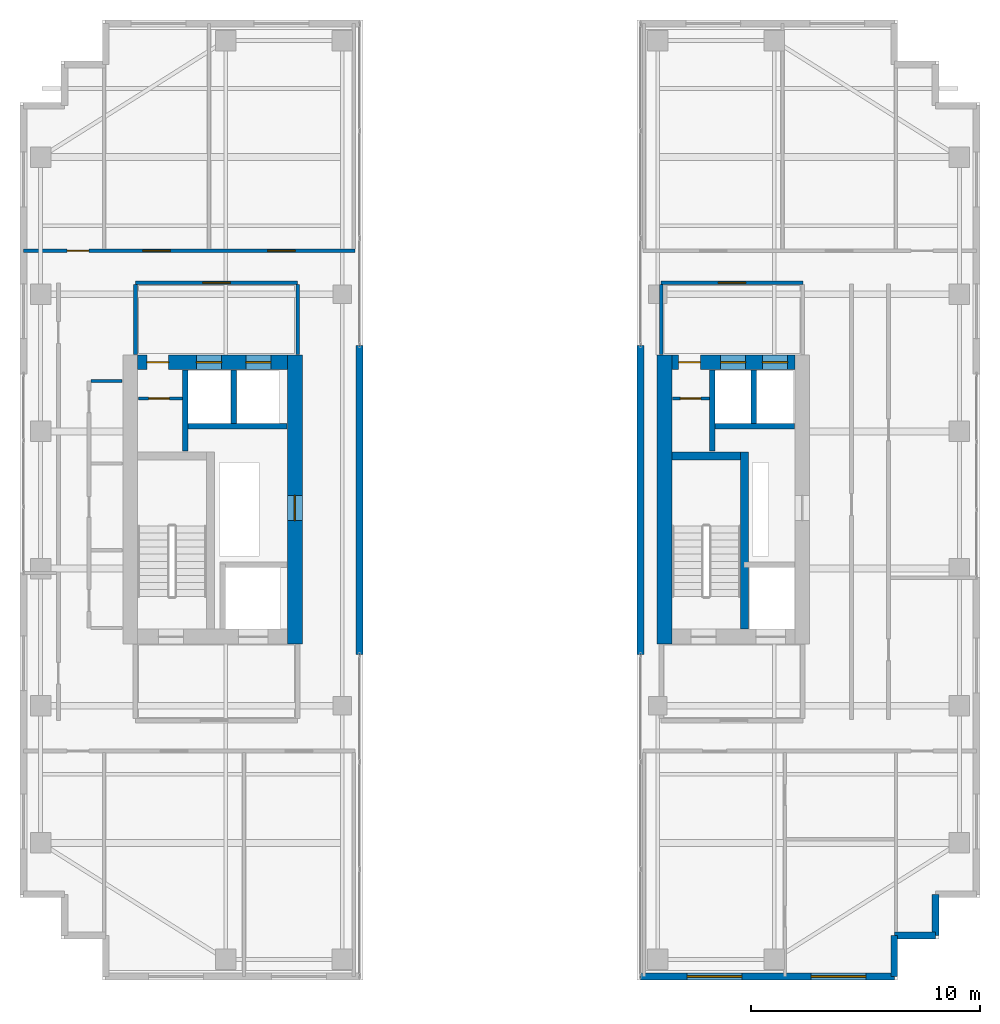
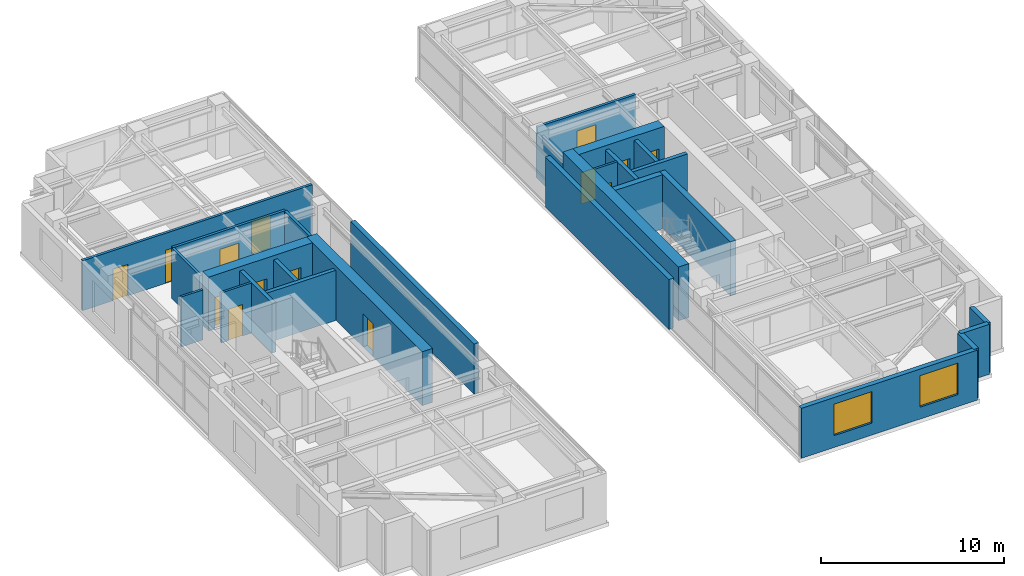
# One storey, part 17 of 21: 27 walls, 14 doors, 2 windows, 16 openings.
"""IFC4 building model written with IfcOpenShell, lengths in metres."""

import ifcopenshell
import ifcopenshell.guid

model = None  # the IFC model being written
_history = None  # IfcOwnerHistory: only IFC2X3 demands one
_inside = {}  # id of a spatial element -> (the spatial element, [elements in it])
_under = {}  # id of a project, library or spatial element -> (it, [spatial elements below it])
_declared = {}  # id of a project -> (the project, [libraries it declares])
_typed = {}  # id of a type object -> (the type object, [elements of that type])
_made_of = {}  # id of a material, layer set ... -> (it, [elements and type objects made of it])


def new_model(schema):
    """Start an empty IFC model of exactly this schema.

    Asked for "IFC4X3", IfcOpenShell would pick the latest addendum, in which some entities
    have other attributes; the version numbers below select the first issue.
    IFC2X3 requires an IfcOwnerHistory on every rooted entity: one is made here for all.
    """
    global model, _history
    if schema == "IFC4X3":
        model = ifcopenshell.file(schema_version=(4, 3, 0, 0))
    else:
        model = ifcopenshell.file(schema=schema)
    _inside.clear()
    _under.clear()
    _declared.clear()
    _typed.clear()
    _made_of.clear()
    _history = None
    if model.schema == "IFC2X3":
        org = make("IfcOrganization", Name="unknown")
        user = make(
            "IfcPersonAndOrganization",
            ThePerson=make("IfcPerson", FamilyName="unknown"),
            TheOrganization=org,
        )
        app = make(
            "IfcApplication",
            ApplicationDeveloper=org,
            Version="unknown",
            ApplicationFullName="unknown",
            ApplicationIdentifier="unknown",
        )
        _history = make(
            "IfcOwnerHistory",
            OwningUser=user,
            OwningApplication=app,
            ChangeAction="ADDED",
            CreationDate=0,
        )
    return model


def make(cls, **values):
    """One entity of the class cls with the attributes given. An attribute that is None is left unset."""
    return model.create_entity(
        cls, **{name: value for name, value in values.items() if value is not None}
    )


def rooted(cls, **values):
    """An entity with a GlobalId (a new one), such as an element, a storey or a relation."""
    return make(cls, GlobalId=ifcopenshell.guid.new(), OwnerHistory=_history, **values)


def si_unit(unit_type, name, prefix=None):
    """IfcSIUnit, for example si_unit("LENGTHUNIT", "METRE", prefix="MILLI")."""
    return make("IfcSIUnit", UnitType=unit_type, Prefix=prefix, Name=name)


def assignment(units):
    """IfcUnitAssignment: the units of a project."""
    return None if units is None else make("IfcUnitAssignment", Units=units)


def point(xyz):
    """IfcCartesianPoint."""
    return None if xyz is None else make("IfcCartesianPoint", Coordinates=xyz)


def direction(xyz):
    """IfcDirection."""
    return None if xyz is None else make("IfcDirection", DirectionRatios=xyz)


def frame(location, z_axis=None, x_axis=None):
    """IfcAxis2Placement3D, a coordinate frame: its origin and axes. An axis left out is left unset."""
    return make(
        "IfcAxis2Placement3D",
        Location=point(location),
        Axis=direction(z_axis),
        RefDirection=direction(x_axis),
    )


def frame_2d(location, x_axis=None):
    """IfcAxis2Placement2D, a coordinate frame in the plane: its origin and x axis."""
    return make(
        "IfcAxis2Placement2D", Location=point(location), RefDirection=direction(x_axis)
    )


def origin():
    """The frame at (0, 0, 0) with its axes left unset."""
    return frame((0.0, 0.0, 0.0))


def place(relative_to, where):
    """IfcLocalPlacement: puts the frame where relative to a parent placement (None: the world)."""
    return make(
        "IfcLocalPlacement", PlacementRelTo=relative_to, RelativePlacement=where
    )


def context(
    kind, dimensions, precision=None, world=None, true_north=None, identifier=None
):
    """IfcGeometricRepresentationContext, for example the 3D "Model" context."""
    return make(
        "IfcGeometricRepresentationContext",
        ContextIdentifier=identifier,
        ContextType=kind,
        CoordinateSpaceDimension=dimensions,
        Precision=precision,
        WorldCoordinateSystem=world,
        TrueNorth=true_north,
    )


def subcontext(parent, identifier, kind, view, scale=None):
    """IfcGeometricRepresentationSubContext, for example "Body" below "Model"."""
    return make(
        "IfcGeometricRepresentationSubContext",
        ContextIdentifier=identifier,
        ContextType=kind,
        ParentContext=parent,
        TargetScale=scale,
        TargetView=view,
    )


def project(units=None, contexts=None):
    """IfcProject with its units and contexts."""
    return rooted(
        "IfcProject",
        Name="project",
        RepresentationContexts=contexts,
        UnitsInContext=assignment(units),
    )


def spatial(cls, under=None, at=None, **own):
    """A site, building, storey or space (cls), placed at a placement, below another one or the project."""
    s = rooted(cls, ObjectPlacement=at, **own)
    if under is not None:
        _under.setdefault(under.id(), (under, []))[1].append(s)
    return s


def profile(cls, at=None, kind="AREA", **sizes):
    """A parametric profile (cls). Its sizes go by their IFC names, for example OverallWidth=200.0."""
    return make(cls, ProfileType=kind, Position=at, **sizes)


def rectangle(**sizes):
    """IfcRectangleProfileDef."""
    return profile("IfcRectangleProfileDef", **sizes)


def extrude(swept, where, along, depth):
    """IfcExtrudedAreaSolid: the profile swept, set in the frame where, extruded along a direction by depth."""
    return make(
        "IfcExtrudedAreaSolid",
        SweptArea=swept,
        Position=where,
        ExtrudedDirection=direction(along),
        Depth=depth,
    )


def shape(context_of_items, identifier, shape_type, items):
    """IfcShapeRepresentation: the items that make up one representation, for example the "Body"."""
    return make(
        "IfcShapeRepresentation",
        ContextOfItems=context_of_items,
        RepresentationIdentifier=identifier,
        RepresentationType=shape_type,
        Items=items,
    )


def source(mapping_origin, context_of_items, identifier, shape_type, items):
    """IfcRepresentationMap: a shape defined once, which mapped items show again and again."""
    return make(
        "IfcRepresentationMap",
        MappingOrigin=mapping_origin,
        MappedRepresentation=shape(context_of_items, identifier, shape_type, items),
    )


def transform(
    local_origin,
    x_axis=None,
    y_axis=None,
    z_axis=None,
    scale=None,
    scale2=None,
    scale3=None,
    uniform=True,
):
    """IfcCartesianTransformationOperator3D, or its non-uniform kind. x_axis, y_axis, z_axis: its Axis1, 2, 3."""
    if uniform:
        return make(
            "IfcCartesianTransformationOperator3D",
            Axis1=direction(x_axis),
            Axis2=direction(y_axis),
            LocalOrigin=point(local_origin),
            Scale=scale,
            Axis3=direction(z_axis),
        )
    return make(
        "IfcCartesianTransformationOperator3DnonUniform",
        Axis1=direction(x_axis),
        Axis2=direction(y_axis),
        LocalOrigin=point(local_origin),
        Scale=scale,
        Axis3=direction(z_axis),
        Scale2=scale2,
        Scale3=scale3,
    )


def mapped(mapping_source, mapping_target):
    """IfcMappedItem: shows the shape of a source again, moved by a transform."""
    return make(
        "IfcMappedItem", MappingSource=mapping_source, MappingTarget=mapping_target
    )


def material(Name=None, Category=None):
    """IfcMaterial."""
    return make("IfcMaterial", Name=Name, Category=Category)


def layer(
    of_material, thickness, ventilated=None, Name=None, Category=None, Priority=None
):
    """IfcMaterialLayer: one layer of a wall or slab, of a material (None: an air gap)."""
    return make(
        "IfcMaterialLayer",
        Material=of_material,
        LayerThickness=thickness,
        IsVentilated=ventilated,
        Name=Name,
        Category=Category,
        Priority=Priority,
    )


def layer_set(layers, Name=None):
    """IfcMaterialLayerSet."""
    return make("IfcMaterialLayerSet", MaterialLayers=layers, LayerSetName=Name)


def made_of(thing, what):
    """Note that an element or type object is made of a material, layer set ...; save() writes the relation."""
    if what is not None:
        _made_of.setdefault(what.id(), (what, []))[1].append(thing)
    return thing


def type_object(cls, material=None, **own):
    """A type object (cls), such as IfcWallType, which elements share."""
    return made_of(rooted(cls, **own), material)


def element(
    cls,
    number,
    at=None,
    inside=None,
    cuts=None,
    type_object=None,
    material=None,
    context=None,
    identifier="Body",
    shape_type=None,
    held_by="IfcProductDefinitionShape",
    body=None,
    shapes=None,
    **own,
):
    """One element of the class cls, such as IfcWall. Its Tag is "e" and its number.

    at: its placement. inside: the storey or other place that contains it. cuts: it is an
    opening in that element (IfcRelVoidsElement). A single representation is given by context,
    identifier, shape_type and body (its items); several are given by shapes. held_by: the class
    of the entity that holds the representations. save() writes the other relations.
    """
    e = rooted(cls, Tag="e%d" % number, ObjectPlacement=at, **own)
    if body is not None:
        shapes = [shape(context, identifier, shape_type, body)]
    if shapes is not None:
        e.Representation = make(held_by, Representations=shapes)
    if inside is not None:
        _inside.setdefault(inside.id(), (inside, []))[1].append(e)
    if cuts is not None:
        rooted(
            "IfcRelVoidsElement", RelatingBuildingElement=cuts, RelatedOpeningElement=e
        )
    if type_object is not None:
        _typed.setdefault(type_object.id(), (type_object, []))[1].append(e)
    return made_of(e, material)


def fill(opening, filler):
    """IfcRelFillsElement: the door or window that sits in an opening."""
    return rooted(
        "IfcRelFillsElement",
        RelatingOpeningElement=opening,
        RelatedBuildingElement=filler,
    )


def aggregate(whole, parts):
    """IfcRelAggregates: a whole, such as a stair, and the parts it consists of."""
    return rooted("IfcRelAggregates", RelatingObject=whole, RelatedObjects=parts)


def save(model, path):
    """Write the relations noted so far, then the file.

    IfcRelAggregates (storeys below a building ...), IfcRelContainedInSpatialStructure (elements
    in a storey), IfcRelDefinesByType, IfcRelAssociatesMaterial and IfcRelDeclares: one each for
    every whole, place, type object, material and project.
    """
    for whole, parts in _under.values():
        aggregate(whole, parts)
    for where, things in _inside.values():
        rooted(
            "IfcRelContainedInSpatialStructure",
            RelatedElements=things,
            RelatingStructure=where,
        )
    for kind, things in _typed.values():
        rooted("IfcRelDefinesByType", RelatedObjects=things, RelatingType=kind)
    for what, things in _made_of.values():
        rooted("IfcRelAssociatesMaterial", RelatedObjects=things, RelatingMaterial=what)
    for by, libraries in _declared.values():
        rooted("IfcRelDeclares", RelatingContext=by, RelatedDefinitions=libraries)
    model.write(path)


model = new_model("IFC4")

# Units and contexts
model_context = context("Model", 3, precision=1e-05, world=origin(), true_north=direction((0.0, 1.0)))
body_context = subcontext(model_context, "Body", "Model", "MODEL_VIEW")
ifc_project = project(units=[si_unit("LENGTHUNIT", "METRE"), si_unit("AREAUNIT", "SQUARE_METRE"), si_unit("VOLUMEUNIT", "CUBIC_METRE"), si_unit("PLANEANGLEUNIT", "RADIAN"), si_unit("MASSUNIT", "GRAM", prefix="KILO")], contexts=[model_context])

# Site, building, storey
site_placement = place(None, origin())
site = spatial("IfcSite", under=ifc_project, at=site_placement, CompositionType="ELEMENT")
building_placement = place(site_placement, origin())
building = spatial("IfcBuilding", under=site, at=building_placement, Name="Khoralis Quay Care Tower", CompositionType="ELEMENT")
storey_placement = place(building_placement, frame((0.0, 0.0, 206.10009765625)))
storey = spatial("IfcBuildingStorey", under=building, at=storey_placement, Name="L54", CompositionType="ELEMENT", Elevation=206.10009765625)

# Wall, opening, door
ifc_material_1 = material(Name="Concrete C65/80", Category="concrete")
ifc_layer_1 = layer(ifc_material_1, 0.64990234375)
ifc_layer_set_1 = layer_set([ifc_layer_1], Name="Concrete C65/80")
wall_type_1 = type_object("IfcWallType", Name="WL-CORE-650", PredefinedType="SHEAR", material=ifc_layer_set_1)
wall_1_placement = place(storey_placement, frame((15.02490234375, 14.699951171875, 0.0), z_axis=(0.0, 0.0, 1.0), x_axis=(0.0, 1.0, 0.0)))
wall_1 = element("IfcWall", 1, at=wall_1_placement, inside=storey, type_object=wall_type_1, Name="L54 WCORE East Shear Wall", PredefinedType="SHEAR", context=body_context, shape_type="SweptSolid", body=[
    extrude(rectangle(XDim=12.650146484375, YDim=0.64990234375, at=frame_2d((6.3251953125, 0.0))), origin(), (0.0, 0.0, 1.0), 3.599853515625),
])
opening_1_placement = place(wall_1_placement, frame((5.39990234375, 0.0, 0.0)))
opening_1 = element("IfcOpeningElement", 2, at=opening_1_placement, cuts=wall_1, Name="Opening SD1", PredefinedType="OPENING", context=body_context, shape_type="SweptSolid", body=[
    extrude(rectangle(XDim=1.10009765625, YDim=2.199951171875, at=frame_2d((0.550048828125, 1.10009765625))), frame((0.0, 0.3349609375, 0.0), z_axis=(0.0, -1.0, 0.0), x_axis=(1.0, 0.0, 0.0)), (0.0, 0.0, 1.0), 0.669921875),
])
ifc_material_2 = material(Name="Fire-rated painted steel", Category="steel")
door_type_1 = type_object("IfcDoorType", Name="DR-STAIR-1100X2200", OperationType="NOTDEFINED", PredefinedType="DOOR", material=ifc_material_2)
shared_shape_1 = source(origin(), body_context, "Body", "SweptSolid", [
    extrude(rectangle(XDim=1.10009765625, YDim=2.199951171875, at=frame_2d((0.550048828125, 1.10009765625))), frame((0.0, 0.02490234375, 0.0), z_axis=(0.0, -1.0, 0.0), x_axis=(1.0, 0.0, 0.0)), (0.0, 0.0, 1.0), 0.050048828125),
])
door_1_placement = place(opening_1_placement, origin())
door_1 = element("IfcDoor", 3, at=door_1_placement, inside=storey, type_object=door_type_1, Name="L54 West MEP Riser Door", OperationType="SINGLE_SWING_RIGHT", OverallHeight=2.199951171875, OverallWidth=1.10009765625, PredefinedType="DOOR", context=body_context, shape_type="MappedRepresentation", body=[
    mapped(shared_shape_1, transform((0.0, 0.0, 0.0), scale=1.0)),
])
fill(opening_1, door_1)

# Wall, openings, doors
wall_2_placement = place(storey_placement, frame((8.14990234375, 27.02490234375, 0.0), z_axis=(0.0, 0.0, 1.0), x_axis=(1.0, 0.0, 0.0)))
wall_2 = element("IfcWall", 4, at=wall_2_placement, inside=storey, type_object=wall_type_1, Name="L54 WCORE North Shear Wall", PredefinedType="SHEAR", context=body_context, shape_type="SweptSolid", body=[
    extrude(rectangle(XDim=6.550048828125, YDim=0.64990234375, at=frame_2d((3.27490234375, 0.0))), origin(), (0.0, 0.0, 1.0), 3.599853515625),
])
opening_2_placement = place(wall_2_placement, frame((0.39990234375, 0.0, 0.0)))
opening_2 = element("IfcOpeningElement", 5, at=opening_2_placement, cuts=wall_2, Name="Opening ID1", PredefinedType="OPENING", context=body_context, shape_type="SweptSolid", body=[
    extrude(rectangle(XDim=0.949951171875, YDim=2.10009765625, at=frame_2d((0.47509765625, 1.050048828125))), frame((0.0, 0.3349609375, 0.0), z_axis=(0.0, -1.0, 0.0), x_axis=(1.0, 0.0, 0.0)), (0.0, 0.0, 1.0), 0.669921875),
])
opening_3_placement = place(wall_2_placement, frame((2.570068359375, 0.0, 0.0)))
opening_3 = element("IfcOpeningElement", 6, at=opening_3_placement, cuts=wall_2, Name="Opening LD1", PredefinedType="OPENING", context=body_context, shape_type="SweptSolid", body=[
    extrude(rectangle(XDim=1.10009765625, YDim=2.199951171875, at=frame_2d((0.550048828125, 1.10009765625))), frame((0.0, 0.3349609375, 0.0), z_axis=(0.0, -1.0, 0.0), x_axis=(1.0, 0.0, 0.0)), (0.0, 0.0, 1.0), 0.669921875),
])
opening_4_placement = place(wall_2_placement, frame((4.72998046875, 0.0, 0.0)))
opening_4 = element("IfcOpeningElement", 7, at=opening_4_placement, cuts=wall_2, Name="Opening LD1", PredefinedType="OPENING", context=body_context, shape_type="SweptSolid", body=[
    extrude(rectangle(XDim=1.10009765625, YDim=2.199951171875, at=frame_2d((0.550048828125, 1.10009765625))), frame((0.0, 0.3349609375, 0.0), z_axis=(0.0, -1.0, 0.0), x_axis=(1.0, 0.0, 0.0)), (0.0, 0.0, 1.0), 0.669921875),
])
ifc_material_3 = material(Name="Brushed stainless steel", Category="steel")
door_type_2 = type_object("IfcDoorType", Name="DR-LIFT-1100X2200", OperationType="SLIDING_TO_LEFT", PredefinedType="DOOR", material=ifc_material_3)
shared_shape_2 = source(origin(), body_context, "Body", "SweptSolid", [
    extrude(rectangle(XDim=1.10009765625, YDim=2.199951171875, at=frame_2d((0.550048828125, 1.10009765625))), frame((0.0, 0.02490234375, 0.0), z_axis=(0.0, -1.0, 0.0), x_axis=(1.0, 0.0, 0.0)), (0.0, 0.0, 1.0), 0.050048828125),
])
door_2_placement = place(opening_3_placement, origin())
door_2 = element("IfcDoor", 8, at=door_2_placement, inside=storey, type_object=door_type_2, Name="L54 Lift PLM1 Landing Door", OperationType="SLIDING_TO_LEFT", OverallHeight=2.199951171875, OverallWidth=1.10009765625, PredefinedType="DOOR", context=body_context, shape_type="MappedRepresentation", body=[
    mapped(shared_shape_2, transform((0.0, 0.0, 0.0), scale=1.0)),
])
fill(opening_3, door_2)
door_3_placement = place(opening_4_placement, origin())
door_3 = element("IfcDoor", 9, at=door_3_placement, inside=storey, type_object=door_type_2, Name="L54 Lift PLH1 Landing Door", OperationType="SLIDING_TO_LEFT", OverallHeight=2.199951171875, OverallWidth=1.10009765625, PredefinedType="DOOR", context=body_context, shape_type="MappedRepresentation", body=[
    mapped(shared_shape_2, transform((0.0, 0.0, 0.0), scale=1.0)),
])
fill(opening_4, door_3)
ifc_material_4 = material(Name="Acoustic hardwood timber", Category="wood")
door_type_3 = type_object("IfcDoorType", Name="DR-ROOM-950X2100", OperationType="NOTDEFINED", PredefinedType="DOOR", material=ifc_material_4)
shared_shape_3 = source(origin(), body_context, "Body", "SweptSolid", [
    extrude(rectangle(XDim=0.949951171875, YDim=2.10009765625, at=frame_2d((0.47509765625, 1.050048828125))), frame((0.0, 0.02490234375, 0.0), z_axis=(0.0, -1.0, 0.0), x_axis=(1.0, 0.0, 0.0)), (0.0, 0.0, 1.0), 0.050048828125),
])
door_4_placement = place(opening_2_placement, frame((0.949951171875, 0.0, 0.0), z_axis=(0.0, 0.0, 1.0), x_axis=(-1.0, 0.0, 0.0)))
door_4 = element("IfcDoor", 10, at=door_4_placement, inside=storey, type_object=door_type_3, Name="L54 Medication Store Door", OperationType="SINGLE_SWING_RIGHT", OverallHeight=2.10009765625, OverallWidth=0.949951171875, PredefinedType="DOOR", context=body_context, shape_type="MappedRepresentation", body=[
    mapped(shared_shape_3, transform((0.0, 0.0, 0.0), scale=1.0)),
])
fill(opening_2, door_4)

# Wall
wall_3_placement = place(storey_placement, frame((31.195068359375, 14.699951171875, 0.0), z_axis=(0.0, 0.0, 1.0), x_axis=(0.0, 1.0, 0.0)))
element("IfcWall", 11, at=wall_3_placement, inside=storey, type_object=wall_type_1, Name="L54 ECORE West Shear Wall", PredefinedType="SHEAR", context=body_context, shape_type="SweptSolid", body=[
    extrude(rectangle(XDim=12.650146484375, YDim=0.64990234375, at=frame_2d((6.3251953125, 0.0))), origin(), (0.0, 0.0, 1.0), 3.599853515625),
])

# Wall, openings, doors
wall_4_placement = place(storey_placement, frame((31.52001953125, 27.02490234375, 0.0), z_axis=(0.0, 0.0, 1.0), x_axis=(1.0, 0.0, 0.0)))
wall_4 = element("IfcWall", 12, at=wall_4_placement, inside=storey, type_object=wall_type_1, Name="L54 ECORE North Shear Wall", PredefinedType="SHEAR", context=body_context, shape_type="SweptSolid", body=[
    extrude(rectangle(XDim=5.3798828125, YDim=0.64990234375, at=frame_2d((2.68994140625, 0.0))), origin(), (0.0, 0.0, 1.0), 3.599853515625),
])
opening_5_placement = place(wall_4_placement, frame((0.300048828125, 0.0, 0.0)))
opening_5 = element("IfcOpeningElement", 13, at=opening_5_placement, cuts=wall_4, Name="Opening ID1", PredefinedType="OPENING", context=body_context, shape_type="SweptSolid", body=[
    extrude(rectangle(XDim=0.949951171875, YDim=2.10009765625, at=frame_2d((0.47509765625, 1.050048828125))), frame((0.0, 0.3349609375, 0.0), z_axis=(0.0, -1.0, 0.0), x_axis=(1.0, 0.0, 0.0)), (0.0, 0.0, 1.0), 0.669921875),
])
opening_6_placement = place(wall_4_placement, frame((2.1298828125, 0.0, 0.0)))
opening_6 = element("IfcOpeningElement", 14, at=opening_6_placement, cuts=wall_4, Name="Opening LD1", PredefinedType="OPENING", context=body_context, shape_type="SweptSolid", body=[
    extrude(rectangle(XDim=1.10009765625, YDim=2.199951171875, at=frame_2d((0.550048828125, 1.10009765625))), frame((0.0, 0.3349609375, 0.0), z_axis=(0.0, -1.0, 0.0), x_axis=(1.0, 0.0, 0.0)), (0.0, 0.0, 1.0), 0.669921875),
])
opening_7_placement = place(wall_4_placement, frame((3.9599609375, 0.0, 0.0)))
opening_7 = element("IfcOpeningElement", 15, at=opening_7_placement, cuts=wall_4, Name="Opening LD1", PredefinedType="OPENING", context=body_context, shape_type="SweptSolid", body=[
    extrude(rectangle(XDim=1.10009765625, YDim=2.199951171875, at=frame_2d((0.550048828125, 1.10009765625))), frame((0.0, 0.3349609375, 0.0), z_axis=(0.0, -1.0, 0.0), x_axis=(1.0, 0.0, 0.0)), (0.0, 0.0, 1.0), 0.669921875),
])
door_5_placement = place(opening_6_placement, origin())
door_5 = element("IfcDoor", 16, at=door_5_placement, inside=storey, type_object=door_type_2, Name="L54 Lift PLM2 Landing Door", OperationType="SLIDING_TO_LEFT", OverallHeight=2.199951171875, OverallWidth=1.10009765625, PredefinedType="DOOR", context=body_context, shape_type="MappedRepresentation", body=[
    mapped(shared_shape_2, transform((0.0, 0.0, 0.0), scale=1.0)),
])
fill(opening_6, door_5)
door_6_placement = place(opening_7_placement, origin())
door_6 = element("IfcDoor", 17, at=door_6_placement, inside=storey, type_object=door_type_2, Name="L54 Lift PLH2 Landing Door", OperationType="SLIDING_TO_LEFT", OverallHeight=2.199951171875, OverallWidth=1.10009765625, PredefinedType="DOOR", context=body_context, shape_type="MappedRepresentation", body=[
    mapped(shared_shape_2, transform((0.0, 0.0, 0.0), scale=1.0)),
])
fill(opening_7, door_6)
door_7_placement = place(opening_5_placement, frame((0.949951171875, 0.0, 0.0), z_axis=(0.0, 0.0, 1.0), x_axis=(-1.0, 0.0, 0.0)))
door_7 = element("IfcDoor", 18, at=door_7_placement, inside=storey, type_object=door_type_3, Name="L54 Nutrition Store Door", OperationType="SINGLE_SWING_LEFT", OverallHeight=2.10009765625, OverallWidth=0.949951171875, PredefinedType="DOOR", context=body_context, shape_type="MappedRepresentation", body=[
    mapped(shared_shape_3, transform((0.0, 0.0, 0.0), scale=1.0)),
])
fill(opening_5, door_7)

# Wall, opening, door
ifc_material_5 = material(Name="Gypsum plasterboard on acoustic metal stud")
ifc_layer_2 = layer(ifc_material_5, 0.1650390625)
ifc_layer_set_2 = layer_set([ifc_layer_2], Name="Gypsum plasterboard on acoustic metal stud")
wall_type_2 = type_object("IfcWallType", Name="WL-CORR-165", PredefinedType="PARTITIONING", material=ifc_layer_set_2)
wall_5_placement = place(storey_placement, frame((8.050048828125, 30.5, 0.0), z_axis=(0.0, 0.0, 1.0), x_axis=(1.0, 0.0, 0.0)))
wall_5 = element("IfcWall", 19, at=wall_5_placement, inside=storey, type_object=wall_type_2, Name="L54 West Lift Lobby North Wall", PredefinedType="PARTITIONING", context=body_context, shape_type="SweptSolid", body=[
    extrude(rectangle(XDim=7.099853515625, YDim=0.1650390625, at=frame_2d((3.5498046875, 0.0))), origin(), (0.0, 0.0, 1.0), 3.33984375),
])
opening_8_placement = place(wall_5_placement, frame((2.949951171875, 0.0, 0.0)))
opening_8 = element("IfcOpeningElement", 20, at=opening_8_placement, cuts=wall_5, Name="Opening FD1", PredefinedType="OPENING", context=body_context, shape_type="SweptSolid", body=[
    extrude(rectangle(XDim=1.199951171875, YDim=2.199951171875, at=frame_2d((0.60009765625, 1.10009765625))), frame((0.0, 0.092529296875, 0.0), z_axis=(0.0, -1.0, 0.0), x_axis=(1.0, 0.0, 0.0)), (0.0, 0.0, 1.0), 0.18505859375),
])
door_type_4 = type_object("IfcDoorType", Name="DR-FFL-1200X2200", OperationType="NOTDEFINED", PredefinedType="DOOR", material=ifc_material_2)
shared_shape_4 = source(origin(), body_context, "Body", "SweptSolid", [
    extrude(rectangle(XDim=1.199951171875, YDim=2.199951171875, at=frame_2d((0.60009765625, 1.10009765625))), frame((0.0, 0.02490234375, 0.0), z_axis=(0.0, -1.0, 0.0), x_axis=(1.0, 0.0, 0.0)), (0.0, 0.0, 1.0), 0.050048828125),
])
door_8_placement = place(opening_8_placement, origin())
door_8 = element("IfcDoor", 21, at=door_8_placement, inside=storey, type_object=door_type_4, Name="L54 West Lift Lobby Double Door", OperationType="DOUBLE_DOOR_SINGLE_SWING", OverallHeight=2.199951171875, OverallWidth=1.199951171875, PredefinedType="DOOR", context=body_context, shape_type="MappedRepresentation", body=[
    mapped(shared_shape_4, transform((0.0, 0.0, 0.0), scale=1.0)),
])
fill(opening_8, door_8)

# Walls
for number, where, z_axis, x_axis, name in (
    (22, (8.050048828125, 27.3701171875, 0.0), (0.0, 0.0, 1.0), (0.0, 1.0, 0.0), "L54 West Lift Lobby West Wall"),
    (23, (15.14990234375, 27.3701171875, 0.0), (0.0, 0.0, 1.0), (0.0, 1.0, 0.0), "L54 West Lift Lobby East Wall"),
):
    element("IfcWall", number, at=place(storey_placement, frame(where, z_axis=z_axis, x_axis=x_axis)), inside=storey, type_object=wall_type_2, Name=name, PredefinedType="PARTITIONING", context=body_context, shape_type="SweptSolid", body=[
        extrude(rectangle(XDim=3.052490234375, YDim=0.1650390625, at=frame_2d((1.5263671875, 0.0))), origin(), (0.0, 0.0, 1.0), 3.33984375),
    ])

# Wall, opening, door
wall_6_placement = place(storey_placement, frame((31.050048828125, 30.5, 0.0), z_axis=(0.0, 0.0, 1.0), x_axis=(1.0, 0.0, 0.0)))
wall_6 = element("IfcWall", 24, at=wall_6_placement, inside=storey, type_object=wall_type_2, Name="L54 East Lift Lobby North Wall", PredefinedType="PARTITIONING", context=body_context, shape_type="SweptSolid", body=[
    extrude(rectangle(XDim=6.199951171875, YDim=0.1650390625, at=frame_2d((3.10009765625, 0.0))), origin(), (0.0, 0.0, 1.0), 3.33984375),
])
opening_9_placement = place(wall_6_placement, frame((2.5, 0.0, 0.0)))
opening_9 = element("IfcOpeningElement", 25, at=opening_9_placement, cuts=wall_6, Name="Opening FD1", PredefinedType="OPENING", context=body_context, shape_type="SweptSolid", body=[
    extrude(rectangle(XDim=1.199951171875, YDim=2.199951171875, at=frame_2d((0.60009765625, 1.10009765625))), frame((0.0, 0.092529296875, 0.0), z_axis=(0.0, -1.0, 0.0), x_axis=(1.0, 0.0, 0.0)), (0.0, 0.0, 1.0), 0.18505859375),
])
door_9_placement = place(opening_9_placement, origin())
door_9 = element("IfcDoor", 26, at=door_9_placement, inside=storey, type_object=door_type_4, Name="L54 East Lift Lobby Double Door", OperationType="DOUBLE_DOOR_SINGLE_SWING", OverallHeight=2.199951171875, OverallWidth=1.199951171875, PredefinedType="DOOR", context=body_context, shape_type="MappedRepresentation", body=[
    mapped(shared_shape_4, transform((0.0, 0.0, 0.0), scale=1.0)),
])
fill(opening_9, door_9)

# Wall
wall_7_placement = place(storey_placement, frame((31.050048828125, 27.3701171875, 0.0), z_axis=(0.0, 0.0, 1.0), x_axis=(0.0, 1.0, 0.0)))
element("IfcWall", 27, at=wall_7_placement, inside=storey, type_object=wall_type_2, Name="L54 East Lift Lobby West Wall", PredefinedType="PARTITIONING", context=body_context, shape_type="SweptSolid", body=[
    extrude(rectangle(XDim=3.052490234375, YDim=0.1650390625, at=frame_2d((1.5263671875, 0.0))), origin(), (0.0, 0.0, 1.0), 2.880859375),
])

# Wall, openings, doors
wall_8_placement = place(storey_placement, frame((3.14501953125, 31.89990234375, 0.0), z_axis=(0.0, 0.0, 1.0), x_axis=(1.0, 0.0, 0.0)))
wall_8 = element("IfcWall", 28, at=wall_8_placement, inside=storey, type_object=wall_type_2, Name="L54 West Wing North Corridor Wall", PredefinedType="PARTITIONING", context=body_context, shape_type="SweptSolid", body=[
    extrude(rectangle(XDim=14.5048828125, YDim=0.1650390625, at=frame_2d((7.25244140625, 0.0))), origin(), (0.0, 0.0, 1.0), 3.33984375),
])
opening_10_placement = place(wall_8_placement, frame((5.22998046875, 0.0, 0.0)))
opening_10 = element("IfcOpeningElement", 29, at=opening_10_placement, cuts=wall_8, Name="Opening FD1", PredefinedType="OPENING", context=body_context, shape_type="SweptSolid", body=[
    extrude(rectangle(XDim=1.199951171875, YDim=2.199951171875, at=frame_2d((0.60009765625, 1.10009765625))), frame((0.0, 0.092529296875, 0.0), z_axis=(0.0, -1.0, 0.0), x_axis=(1.0, 0.0, 0.0)), (0.0, 0.0, 1.0), 0.18505859375),
])
opening_11_placement = place(wall_8_placement, frame((10.68994140625, 0.0, 0.0)))
opening_11 = element("IfcOpeningElement", 30, at=opening_11_placement, cuts=wall_8, Name="Opening FD1", PredefinedType="OPENING", context=body_context, shape_type="SweptSolid", body=[
    extrude(rectangle(XDim=1.199951171875, YDim=2.199951171875, at=frame_2d((0.60009765625, 1.10009765625))), frame((0.0, 0.092529296875, 0.0), z_axis=(0.0, -1.0, 0.0), x_axis=(1.0, 0.0, 0.0)), (0.0, 0.0, 1.0), 0.18505859375),
])
opening_12_placement = place(wall_8_placement, frame((1.919921875, 0.0, 0.0)))
opening_12 = element("IfcOpeningElement", 31, at=opening_12_placement, cuts=wall_8, Name="Opening ID1", PredefinedType="OPENING", context=body_context, shape_type="SweptSolid", body=[
    extrude(rectangle(XDim=0.949951171875, YDim=2.10009765625, at=frame_2d((0.47509765625, 1.050048828125))), frame((0.0, 0.092529296875, 0.0), z_axis=(0.0, -1.0, 0.0), x_axis=(1.0, 0.0, 0.0)), (0.0, 0.0, 1.0), 0.18505859375),
])
door_10_placement = place(opening_10_placement, origin())
door_10 = element("IfcDoor", 32, at=door_10_placement, inside=storey, type_object=door_type_4, Name="L54 Resident Communal Day Lounge Door", OperationType="DOUBLE_DOOR_SINGLE_SWING", OverallHeight=2.199951171875, OverallWidth=1.199951171875, PredefinedType="DOOR", context=body_context, shape_type="MappedRepresentation", body=[
    mapped(shared_shape_4, transform((0.0, 0.0, 0.0), scale=1.0)),
])
fill(opening_10, door_10)
door_11_placement = place(opening_11_placement, origin())
door_11 = element("IfcDoor", 33, at=door_11_placement, inside=storey, type_object=door_type_4, Name="L54 Assisted Communal Dining Room Door", OperationType="DOUBLE_DOOR_SINGLE_SWING", OverallHeight=2.199951171875, OverallWidth=1.199951171875, PredefinedType="DOOR", context=body_context, shape_type="MappedRepresentation", body=[
    mapped(shared_shape_4, transform((0.0, 0.0, 0.0), scale=1.0)),
])
fill(opening_11, door_11)
door_12_placement = place(opening_12_placement, origin())
door_12 = element("IfcDoor", 34, at=door_12_placement, inside=storey, type_object=door_type_3, Name="L54 NW Corner Door", OperationType="SINGLE_SWING_RIGHT", OverallHeight=2.10009765625, OverallWidth=0.949951171875, PredefinedType="DOOR", context=body_context, shape_type="MappedRepresentation", body=[
    mapped(shared_shape_3, transform((0.0, 0.0, 0.0), scale=1.0)),
])
fill(opening_12, door_12)

# Wall
ifc_material_6 = material(Name="Precast concrete C45/55", Category="concrete")
ifc_layer_3 = layer(ifc_material_6, 0.300048828125)
ifc_layer_set_3 = layer_set([ifc_layer_3], Name="Precast concrete C45/55")
wall_type_3 = type_object("IfcWallType", Name="WL-EXT-REF-300", PredefinedType="SOLIDWALL", material=ifc_layer_set_3)
wall_9_placement = place(storey_placement, frame((17.85009765625, 14.25, 0.0), z_axis=(0.0, 0.0, 1.0), x_axis=(0.0, 1.0, 0.0)))
element("IfcWall", 35, at=wall_9_placement, inside=storey, type_object=wall_type_3, Name="L54 External Facade Wall WL-VP-L54-P1-M", PredefinedType="SOLIDWALL", context=body_context, shape_type="SweptSolid", body=[
    extrude(rectangle(XDim=13.5, YDim=0.300048828125, at=frame_2d((6.75, 0.0))), origin(), (0.0, 0.0, 1.0), 3.33984375),
])

# Wall, openings, windows
wall_10_placement = place(storey_placement, frame((30.14990234375, 0.14990234375, 0.0), z_axis=(0.0, 0.0, 1.0), x_axis=(1.0, 0.0, 0.0)))
wall_10 = element("IfcWall", 36, at=wall_10_placement, inside=storey, type_object=wall_type_3, Name="L54 External Facade Wall WL-EXT-L54-P2-E0", PredefinedType="SOLIDWALL", context=body_context, shape_type="SweptSolid", body=[
    extrude(rectangle(XDim=11.10009765625, YDim=0.300048828125, at=frame_2d((5.550048828125, 0.0))), origin(), (0.0, 0.0, 1.0), 3.33984375),
])
opening_13_placement = place(wall_10_placement, frame((2.035400390625, 0.0, 0.800048828125)))
opening_13 = element("IfcOpeningElement", 37, at=opening_13_placement, cuts=wall_10, Name="Opening W1", PredefinedType="OPENING", context=body_context, shape_type="SweptSolid", body=[
    extrude(rectangle(XDim=2.39990234375, YDim=2.10009765625, at=frame_2d((1.199951171875, 1.050048828125))), frame((0.0, 0.16015625, 0.0), z_axis=(0.0, -1.0, 0.0), x_axis=(1.0, 0.0, 0.0)), (0.0, 0.0, 1.0), 0.320068359375),
])
opening_14_placement = place(wall_10_placement, frame((7.46044921875, 0.0, 0.800048828125)))
opening_14 = element("IfcOpeningElement", 38, at=opening_14_placement, cuts=wall_10, Name="Opening W1", PredefinedType="OPENING", context=body_context, shape_type="SweptSolid", body=[
    extrude(rectangle(XDim=2.39990234375, YDim=2.10009765625, at=frame_2d((1.199951171875, 1.050048828125))), frame((0.0, 0.16015625, 0.0), z_axis=(0.0, -1.0, 0.0), x_axis=(1.0, 0.0, 0.0)), (0.0, 0.0, 1.0), 0.320068359375),
])
ifc_material_7 = material(Name="Low-E solar-control double glazing", Category="glass")
window_type = type_object("IfcWindowType", Name="WN-POD-2400X2100", PartitioningType="SINGLE_PANEL", PredefinedType="WINDOW", material=ifc_material_7)
shared_shape_5 = source(origin(), body_context, "Body", "SweptSolid", [
    extrude(rectangle(XDim=2.39990234375, YDim=2.10009765625, at=frame_2d((1.199951171875, 1.050048828125))), frame((0.0, 0.030029296875, 0.0), z_axis=(0.0, -1.0, 0.0), x_axis=(1.0, 0.0, 0.0)), (0.0, 0.0, 1.0), 0.06005859375),
])
window_1_placement = place(opening_13_placement, origin())
window_1 = element("IfcWindow", 39, at=window_1_placement, inside=storey, type_object=window_type, Name="WN-L54-P2-E0 Facade Window 01", OverallHeight=2.10009765625, OverallWidth=2.39990234375, PartitioningType="SINGLE_PANEL", PredefinedType="WINDOW", context=body_context, shape_type="MappedRepresentation", body=[
    mapped(shared_shape_5, transform((0.0, 0.0, 0.0), scale=1.0)),
])
fill(opening_13, window_1)
window_2_placement = place(opening_14_placement, origin())
window_2 = element("IfcWindow", 40, at=window_2_placement, inside=storey, type_object=window_type, Name="WN-L54-P2-E0 Facade Window 02", OverallHeight=2.10009765625, OverallWidth=2.39990234375, PartitioningType="SINGLE_PANEL", PredefinedType="WINDOW", context=body_context, shape_type="MappedRepresentation", body=[
    mapped(shared_shape_5, transform((0.0, 0.0, 0.0), scale=1.0)),
])
fill(opening_14, window_2)

# Walls
for number, where, z_axis, x_axis, name in (
    (41, (41.25, 0.14990234375, 0.0), (0.0, 0.0, 1.0), (0.0, 1.0, 0.0), "L54 External Facade Wall WL-EXT-L54-P2-C1"),
    (42, (41.25, 1.949951171875, 0.0), (0.0, 0.0, 1.0), (1.0, 0.0, 0.0), "L54 External Facade Wall WL-EXT-L54-P2-C2"),
    (43, (43.050048828125, 1.949951171875, 0.0), (0.0, 0.0, 1.0), (0.0, 1.0, 0.0), "L54 External Facade Wall WL-EXT-L54-P2-C3"),
):
    element("IfcWall", number, at=place(storey_placement, frame(where, z_axis=z_axis, x_axis=x_axis)), inside=storey, type_object=wall_type_3, Name=name, PredefinedType="SOLIDWALL", context=body_context, shape_type="SweptSolid", body=[
        extrude(rectangle(XDim=1.800048828125, YDim=0.300048828125, at=frame_2d((0.89990234375, 0.0))), origin(), (0.0, 0.0, 1.0), 3.33984375),
    ])
wall_11_placement = place(storey_placement, frame((30.14990234375, 14.25, 0.0), z_axis=(0.0, 0.0, 1.0), x_axis=(0.0, 1.0, 0.0)))
element("IfcWall", 44, at=wall_11_placement, inside=storey, type_object=wall_type_3, Name="L54 External Facade Wall WL-VP-L54-P2-M", PredefinedType="SOLIDWALL", context=body_context, shape_type="SweptSolid", body=[
    extrude(rectangle(XDim=13.5, YDim=0.300048828125, at=frame_2d((6.75, 0.0))), origin(), (0.0, 0.0, 1.0), 3.33984375),
])
ifc_material_8 = material(Name="Concrete C40/50", Category="concrete")
ifc_layer_4 = layer(ifc_material_8, 0.35009765625)
ifc_layer_set_4 = layer_set([ifc_layer_4], Name="Concrete C40/50")
wall_type_4 = type_object("IfcWallType", Name="WL-SC-CORE-350", PredefinedType="SHEAR", material=ifc_layer_set_4)
wall_12_placement = place(storey_placement, frame((34.695068359375, 15.35009765625, 0.0), z_axis=(0.0, 0.0, 1.0), x_axis=(0.0, 1.0, 0.0)))
element("IfcWall", 45, at=wall_12_placement, inside=storey, type_object=wall_type_4, Name="L54 Stair ST-T2 Shear Baffle Wall East", PredefinedType="SHEAR", context=body_context, shape_type="SweptSolid", body=[
    extrude(rectangle(XDim=7.75, YDim=0.35009765625, at=frame_2d((3.875, 0.0))), origin(), (0.0, 0.0, 1.0), 3.599853515625),
])
wall_13_placement = place(storey_placement, frame((31.52001953125, 22.925048828125, 0.0), z_axis=(0.0, 0.0, 1.0), x_axis=(1.0, 0.0, 0.0)))
element("IfcWall", 46, at=wall_13_placement, inside=storey, type_object=wall_type_4, Name="L54 Stair ST-T2 Shear Baffle Wall North", PredefinedType="SHEAR", context=body_context, shape_type="SweptSolid", body=[
    extrude(rectangle(XDim=3.0, YDim=0.35009765625, at=frame_2d((1.5, 0.0))), origin(), (0.0, 0.0, 1.0), 3.599853515625),
])
ifc_layer_5 = layer(ifc_material_5, 0.239990234375)
ifc_layer_set_5 = layer_set([ifc_layer_5], Name="Gypsum plasterboard on acoustic metal stud")
wall_type_5 = type_object("IfcWallType", Name="WL-SHAFT-240", PredefinedType="PARTITIONING", material=ifc_layer_set_5)
wall_14_placement = place(storey_placement, frame((10.219970703125, 23.139892578125, 0.0), z_axis=(0.0, 0.0, 1.0), x_axis=(0.0, 1.0, 0.0)))
element("IfcWall", 47, at=wall_14_placement, inside=storey, type_object=wall_type_5, Name="L54 Reclaimed Bay Divider West", PredefinedType="PARTITIONING", context=body_context, shape_type="SweptSolid", body=[
    extrude(rectangle(XDim=3.5400390625, YDim=0.239990234375, at=frame_2d((1.77001953125, 0.0))), origin(), (0.0, 0.0, 1.0), 3.33984375),
])
wall_15_placement = place(storey_placement, frame((10.3349609375, 24.22998046875, 0.0), z_axis=(0.0, 0.0, 1.0), x_axis=(1.0, 0.0, 0.0)))
element("IfcWall", 48, at=wall_15_placement, inside=storey, type_object=wall_type_5, Name="L54 Active Shaft South Wall West", PredefinedType="PARTITIONING", context=body_context, shape_type="SweptSolid", body=[
    extrude(rectangle(XDim=4.344970703125, YDim=0.239990234375, at=frame_2d((2.17236328125, 0.0))), origin(), (0.0, 0.0, 1.0), 3.33984375),
])
wall_16_placement = place(storey_placement, frame((12.35009765625, 24.344970703125, 0.0), z_axis=(0.0, 0.0, 1.0), x_axis=(0.0, 1.0, 0.0)))
element("IfcWall", 49, at=wall_16_placement, inside=storey, type_object=wall_type_5, Name="L54 West Shaft Divider 2", PredefinedType="PARTITIONING", context=body_context, shape_type="SweptSolid", body=[
    extrude(rectangle(XDim=2.3349609375, YDim=0.239990234375, at=frame_2d((1.16748046875, 0.0))), origin(), (0.0, 0.0, 1.0), 3.33984375),
])
wall_17_placement = place(storey_placement, frame((33.2900390625, 23.139892578125, 0.0), z_axis=(0.0, 0.0, 1.0), x_axis=(0.0, 1.0, 0.0)))
element("IfcWall", 50, at=wall_17_placement, inside=storey, type_object=wall_type_5, Name="L54 Reclaimed Bay Divider East", PredefinedType="PARTITIONING", context=body_context, shape_type="SweptSolid", body=[
    extrude(rectangle(XDim=3.5400390625, YDim=0.239990234375, at=frame_2d((1.77001953125, 0.0))), origin(), (0.0, 0.0, 1.0), 3.33984375),
])
wall_18_placement = place(storey_placement, frame((33.405029296875, 24.22998046875, 0.0), z_axis=(0.0, 0.0, 1.0), x_axis=(1.0, 0.0, 0.0)))
element("IfcWall", 51, at=wall_18_placement, inside=storey, type_object=wall_type_5, Name="L54 Active Shaft South Wall East", PredefinedType="PARTITIONING", context=body_context, shape_type="SweptSolid", body=[
    extrude(rectangle(XDim=3.474853515625, YDim=0.239990234375, at=frame_2d((1.7373046875, 0.0))), origin(), (0.0, 0.0, 1.0), 3.33984375),
])
wall_19_placement = place(storey_placement, frame((35.110107421875, 24.344970703125, 0.0), z_axis=(0.0, 0.0, 1.0), x_axis=(0.0, 1.0, 0.0)))
element("IfcWall", 52, at=wall_19_placement, inside=storey, type_object=wall_type_5, Name="L54 East Shaft Divider 2", PredefinedType="PARTITIONING", context=body_context, shape_type="SweptSolid", body=[
    extrude(rectangle(XDim=2.3349609375, YDim=0.239990234375, at=frame_2d((1.16748046875, 0.0))), origin(), (0.0, 0.0, 1.0), 3.33984375),
])

# Wall, opening, door
ifc_layer_6 = layer(ifc_material_5, 0.139892578125)
ifc_layer_set_6 = layer_set([ifc_layer_6], Name="Gypsum plasterboard on acoustic metal stud")
wall_type_6 = type_object("IfcWallType", Name="WL-UNIT-140", PredefinedType="PARTITIONING", material=ifc_layer_set_6)
wall_20_placement = place(storey_placement, frame((8.179931640625, 25.43994140625, 0.0), z_axis=(0.0, 0.0, 1.0), x_axis=(1.0, 0.0, 0.0)))
wall_20 = element("IfcWall", 53, at=wall_20_placement, inside=storey, type_object=wall_type_6, Name="L54 West Reclaimed Split Wall", PredefinedType="PARTITIONING", context=body_context, shape_type="SweptSolid", body=[
    extrude(rectangle(XDim=1.925048828125, YDim=0.139892578125, at=frame_2d((0.96240234375, 0.0))), origin(), (0.0, 0.0, 1.0), 3.33984375),
])
opening_15_placement = place(wall_20_placement, frame((0.449951171875, 0.0, 0.0)))
opening_15 = element("IfcOpeningElement", 54, at=opening_15_placement, cuts=wall_20, Name="Opening WD1", PredefinedType="OPENING", context=body_context, shape_type="SweptSolid", body=[
    extrude(rectangle(XDim=0.89990234375, YDim=2.10009765625, at=frame_2d((0.449951171875, 1.050048828125))), frame((0.0, 0.080078125, 0.0), z_axis=(0.0, -1.0, 0.0), x_axis=(1.0, 0.0, 0.0)), (0.0, 0.0, 1.0), 0.159912109375),
])
door_type_5 = type_object("IfcDoorType", Name="DR-BATH-900X2100", OperationType="NOTDEFINED", PredefinedType="DOOR", material=ifc_material_4)
shared_shape_6 = source(origin(), body_context, "Body", "SweptSolid", [
    extrude(rectangle(XDim=0.89990234375, YDim=2.10009765625, at=frame_2d((0.449951171875, 1.050048828125))), frame((0.0, 0.02490234375, 0.0), z_axis=(0.0, -1.0, 0.0), x_axis=(1.0, 0.0, 0.0)), (0.0, 0.0, 1.0), 0.050048828125),
])
door_13_placement = place(opening_15_placement, frame((0.89990234375, 0.0, 0.0), z_axis=(0.0, 0.0, 1.0), x_axis=(-1.0, 0.0, 0.0)))
door_13 = element("IfcDoor", 55, at=door_13_placement, inside=storey, type_object=door_type_5, Name="L54 Clean Linen Store Door", OperationType="SINGLE_SWING_RIGHT", OverallHeight=2.10009765625, OverallWidth=0.89990234375, PredefinedType="DOOR", context=body_context, shape_type="MappedRepresentation", body=[
    mapped(shared_shape_6, transform((0.0, 0.0, 0.0), scale=1.0)),
])
fill(opening_15, door_13)

wall_21_placement = place(storey_placement, frame((31.550048828125, 25.43994140625, 0.0), z_axis=(0.0, 0.0, 1.0), x_axis=(1.0, 0.0, 0.0)))
wall_21 = element("IfcWall", 56, at=wall_21_placement, inside=storey, type_object=wall_type_6, Name="L54 East Reclaimed Split Wall", PredefinedType="PARTITIONING", context=body_context, shape_type="SweptSolid", body=[
    extrude(rectangle(XDim=1.625, YDim=0.139892578125, at=frame_2d((0.8125, 0.0))), origin(), (0.0, 0.0, 1.0), 3.33984375),
])
opening_16_placement = place(wall_21_placement, frame((0.340087890625, 0.0, 0.0)))
opening_16 = element("IfcOpeningElement", 57, at=opening_16_placement, cuts=wall_21, Name="Opening WD1", PredefinedType="OPENING", context=body_context, shape_type="SweptSolid", body=[
    extrude(rectangle(XDim=0.89990234375, YDim=2.10009765625, at=frame_2d((0.449951171875, 1.050048828125))), frame((0.0, 0.080078125, 0.0), z_axis=(0.0, -1.0, 0.0), x_axis=(1.0, 0.0, 0.0)), (0.0, 0.0, 1.0), 0.159912109375),
])
door_14_placement = place(opening_16_placement, frame((0.89990234375, 0.0, 0.0), z_axis=(0.0, 0.0, 1.0), x_axis=(-1.0, 0.0, 0.0)))
door_14 = element("IfcDoor", 58, at=door_14_placement, inside=storey, type_object=door_type_5, Name="L54 Sterile Store Door", OperationType="SINGLE_SWING_LEFT", OverallHeight=2.10009765625, OverallWidth=0.89990234375, PredefinedType="DOOR", context=body_context, shape_type="MappedRepresentation", body=[
    mapped(shared_shape_6, transform((0.0, 0.0, 0.0), scale=1.0)),
])
fill(opening_16, door_14)

# Wall
wall_22_placement = place(storey_placement, frame((6.097412109375, 26.199951171875, 0.0), z_axis=(0.0, 0.0, 1.0), x_axis=(1.0, 0.0, 0.0)))
element("IfcWall", 59, at=wall_22_placement, inside=storey, type_object=wall_type_6, Name="L54 West Flank North Cap", PredefinedType="PARTITIONING", context=body_context, shape_type="SweptSolid", body=[
    extrude(rectangle(XDim=1.362548828125, YDim=0.139892578125, at=frame_2d((0.68115234375, 0.0))), origin(), (0.0, 0.0, 1.0), 3.33984375),
])

save(model, "model.ifc")
